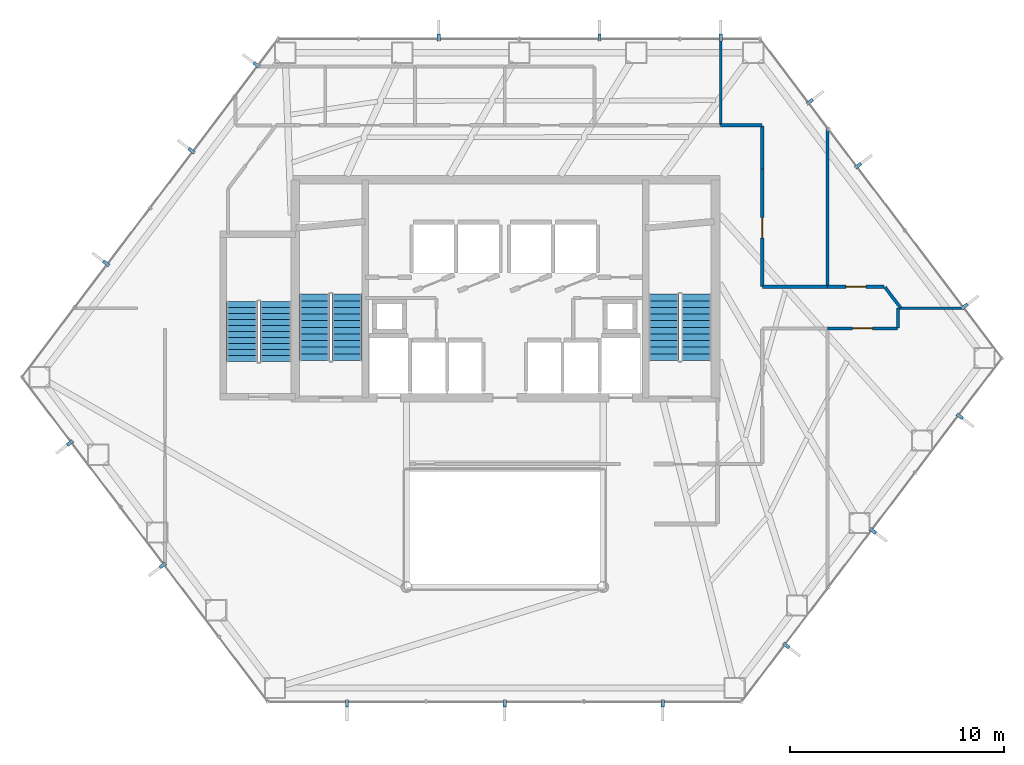
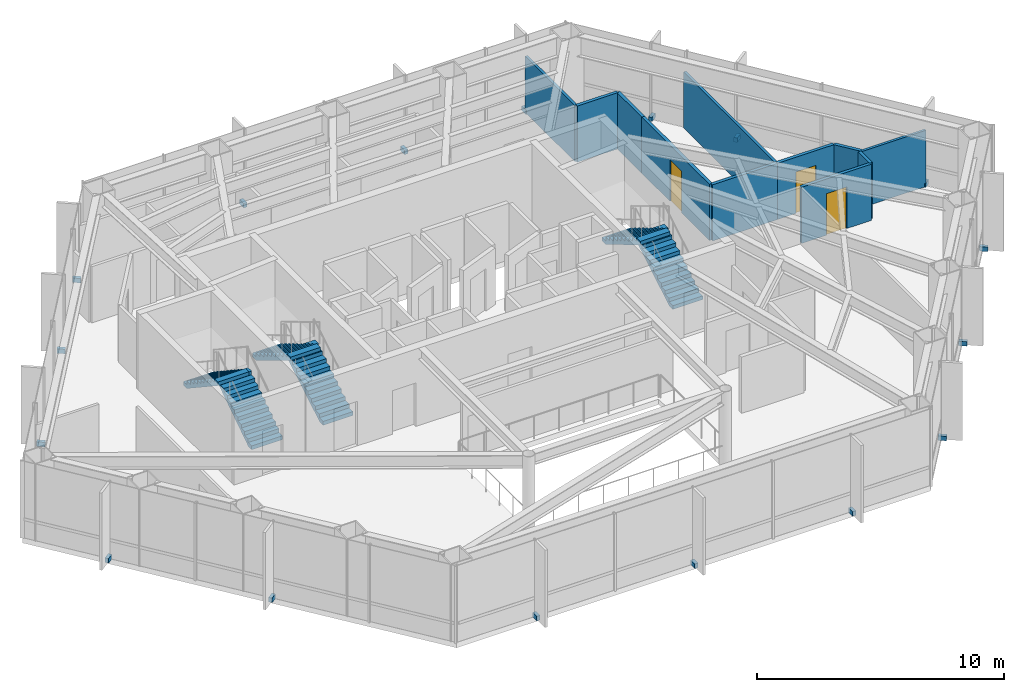
# One storey, part 24 of 25: 17 discrete accessories, 11 walls, 6 stair flights, 3 doors, 3 openings, 3 elements without a shape of their own.
"""IFC4 building model written with IfcOpenShell, lengths in metres."""

from ifc_helpers import new_model, si_unit, direction, frame, frame_2d, origin, origin_2d, place, context, subcontext, project, spatial, polyline, rectangle, outline, extrude, material, layer, layer_set, type_object, element, fill, aggregate, save


model = new_model("IFC4")

# Units and contexts
model_context = context("Model", 3, precision=1e-05, world=origin(), true_north=direction((0.0, 1.0)))
body_context = subcontext(model_context, "Body", "Model", "MODEL_VIEW")
ifc_project = project(units=[si_unit("LENGTHUNIT", "METRE"), si_unit("AREAUNIT", "SQUARE_METRE"), si_unit("VOLUMEUNIT", "CUBIC_METRE"), si_unit("PLANEANGLEUNIT", "RADIAN"), si_unit("MASSUNIT", "GRAM", prefix="KILO")], contexts=[model_context])

# Site, building, storey
site_placement = place(None, origin())
site = spatial("IfcSite", under=ifc_project, at=site_placement, CompositionType="ELEMENT")
building_placement = place(site_placement, origin())
building = spatial("IfcBuilding", under=site, at=building_placement, Name="Zarrinselat Tower", CompositionType="ELEMENT")
storey_placement = place(building_placement, frame((0.0, 0.0, 39.780029296875)))
storey = spatial("IfcBuildingStorey", under=building, at=storey_placement, Name="L09", CompositionType="ELEMENT", Elevation=39.780029296875)

# Wall
ifc_material_1 = material(Name="Fire-Rated Gypsum Board Partition", Category="gypsum")
ifc_layer_1 = layer(ifc_material_1, 0.14990234375)
ifc_layer_set_1 = layer_set([ifc_layer_1], Name="Fire-Rated Gypsum Board Partition")
wall_type_1 = type_object("IfcWallType", Name="WAL-PART-EI60", PredefinedType="PARTITIONING", material=ifc_layer_set_1)
wall_1_placement = place(storey_placement, frame((56.800048828125, 36.52001953125, 0.0), z_axis=(0.0, 0.0, 1.0), x_axis=(0.0, 1.0, 0.0)))
element("IfcWall", 1, at=wall_1_placement, inside=storey, type_object=wall_type_1, Name="L09 Partition Wall 20", PredefinedType="PARTITIONING", context=body_context, shape_type="SweptSolid", body=[
    extrude(rectangle(XDim=0.925048828125, YDim=0.14990234375, at=frame_2d((0.46240234375, 0.0))), origin(), (0.0, 0.0, 1.0), 2.77685546875),
])

# Wall, opening, door
wall_2_placement = place(storey_placement, frame((53.5048828125, 36.5, 0.0), z_axis=(0.0, 0.0, 1.0), x_axis=(1.0, 0.0, 0.0)))
wall_2 = element("IfcWall", 2, at=wall_2_placement, inside=storey, type_object=wall_type_1, Name="L09 Partition Wall 21", PredefinedType="PARTITIONING", context=body_context, shape_type="SweptSolid", body=[
    extrude(rectangle(XDim=3.275146484375, YDim=0.14990234375, at=frame_2d((1.6376953125, 0.0))), origin(), (0.0, 0.0, 1.0), 2.77685546875),
])
opening_1_placement = place(wall_2_placement, frame((1.16748046875, 0.0, 0.0)))
opening_1 = element("IfcOpeningElement", 3, at=opening_1_placement, cuts=wall_2, Name="Opening ID-04", PredefinedType="OPENING", context=body_context, shape_type="SweptSolid", body=[
    extrude(rectangle(XDim=0.93994140625, YDim=2.050048828125, at=frame_2d((0.469970703125, 1.02490234375))), frame((0.0, 0.0849609375, 0.0), z_axis=(0.0, -1.0, 0.0), x_axis=(1.0, 0.0, 0.0)), (0.0, 0.0, 1.0), 0.169921875),
])
ifc_material_2 = material(Name="Fire-Rated Gypsum Board Partition")
door_type = type_object("IfcDoorType", Name="DR-INT-FD30-ENT", OperationType="NOTDEFINED", PredefinedType="DOOR", material=ifc_material_2)
door_1_placement = place(opening_1_placement, origin())
door_1 = element("IfcDoor", 4, at=door_1_placement, inside=storey, type_object=door_type, Name="L09 Interior Door P21", OperationType="SINGLE_SWING_LEFT", OverallHeight=2.050048828125, OverallWidth=0.93994140625, PredefinedType="DOOR", context=body_context, shape_type="SweptSolid", body=[
    extrude(rectangle(XDim=0.93994140625, YDim=2.050048828125, at=frame_2d((0.469970703125, 1.02490234375))), frame((0.0, 0.02490234375, 0.0), z_axis=(0.0, -1.0, 0.0), x_axis=(1.0, 0.0, 0.0)), (0.0, 0.0, 1.0), 0.050048828125),
])
fill(opening_1, door_1)

wall_3_placement = place(storey_placement, frame((53.5048828125, 38.449951171875, 0.0), z_axis=(0.0, 0.0, 1.0), x_axis=(1.0, 0.0, 0.0)))
wall_3 = element("IfcWall", 5, at=wall_3_placement, inside=storey, type_object=wall_type_1, Name="L09 Partition Wall 22", PredefinedType="PARTITIONING", context=body_context, shape_type="SweptSolid", body=[
    extrude(rectangle(XDim=2.6474609375, YDim=0.14990234375, at=frame_2d((1.32373046875, 0.0))), origin(), (0.0, 0.0, 1.0), 2.77685546875),
])
opening_2_placement = place(wall_3_placement, frame((0.853515625, 0.0, 0.0)))
opening_2 = element("IfcOpeningElement", 6, at=opening_2_placement, cuts=wall_3, Name="Opening ID-04", PredefinedType="OPENING", context=body_context, shape_type="SweptSolid", body=[
    extrude(rectangle(XDim=0.93994140625, YDim=2.050048828125, at=frame_2d((0.469970703125, 1.02490234375))), frame((0.0, 0.0849609375, 0.0), z_axis=(0.0, -1.0, 0.0), x_axis=(1.0, 0.0, 0.0)), (0.0, 0.0, 1.0), 0.169921875),
])
door_2_placement = place(opening_2_placement, origin())
door_2 = element("IfcDoor", 7, at=door_2_placement, inside=storey, type_object=door_type, Name="L09 Interior Door P22", OperationType="SINGLE_SWING_RIGHT", OverallHeight=2.050048828125, OverallWidth=0.93994140625, PredefinedType="DOOR", context=body_context, shape_type="SweptSolid", body=[
    extrude(rectangle(XDim=0.93994140625, YDim=2.050048828125, at=frame_2d((0.469970703125, 1.02490234375))), frame((0.0, 0.02490234375, 0.0), z_axis=(0.0, -1.0, 0.0), x_axis=(1.0, 0.0, 0.0)), (0.0, 0.0, 1.0), 0.050048828125),
])
fill(opening_2, door_2)

# Walls
wall_4_placement = place(storey_placement, frame((56.184326171875, 38.43408203125, 0.0), z_axis=(0.0, 0.0, 1.0), x_axis=(0.603900079305, -0.797060031751, 0.0)))
element("IfcWall", 8, at=wall_4_placement, inside=storey, type_object=wall_type_1, Name="L09 Partition Wall 23", PredefinedType="PARTITIONING", context=body_context, shape_type="SweptSolid", body=[
    extrude(rectangle(XDim=1.2197265625, YDim=0.14990234375, at=frame_2d((0.60986328125, 0.0))), origin(), (0.0, 0.0, 1.0), 2.77685546875),
])
wall_5_placement = place(storey_placement, frame((48.5048828125, 46.0, 0.0), z_axis=(0.0, 0.0, 1.0), x_axis=(1.0, 0.0, 0.0)))
element("IfcWall", 9, at=wall_5_placement, inside=storey, type_object=wall_type_1, Name="L09 Partition Wall 26", PredefinedType="PARTITIONING", context=body_context, shape_type="SweptSolid", body=[
    extrude(rectangle(XDim=1.925048828125, YDim=0.14990234375, at=frame_2d((0.96240234375, 0.0))), origin(), (0.0, 0.0, 1.0), 2.77685546875),
])
wall_6_placement = place(storey_placement, frame((50.449951171875, 43.949951171875, 0.0), z_axis=(0.0, 0.0, 1.0), x_axis=(0.0, 1.0, 0.0)))
element("IfcWall", 10, at=wall_6_placement, inside=storey, type_object=wall_type_1, Name="L09 Partition Wall 27", PredefinedType="PARTITIONING", context=body_context, shape_type="SweptSolid", body=[
    extrude(rectangle(XDim=2.030029296875, YDim=0.14990234375, at=frame_2d((1.01513671875, 0.0))), origin(), (0.0, 0.0, 1.0), 2.77685546875),
])

# Wall, opening, door
wall_7_placement = place(storey_placement, frame((50.449951171875, 38.469970703125, 0.0), z_axis=(0.0, 0.0, 1.0), x_axis=(0.0, 1.0, 0.0)))
wall_7 = element("IfcWall", 11, at=wall_7_placement, inside=storey, type_object=wall_type_1, Name="L09 Partition Wall 28", PredefinedType="PARTITIONING", context=body_context, shape_type="SweptSolid", body=[
    extrude(rectangle(XDim=5.47998046875, YDim=0.14990234375, at=frame_2d((2.739990234375, 0.0))), origin(), (0.0, 0.0, 1.0), 2.77685546875),
])
opening_3_placement = place(wall_7_placement, frame((2.27001953125, 0.0, 0.0)))
opening_3 = element("IfcOpeningElement", 12, at=opening_3_placement, cuts=wall_7, Name="Opening ID-04", PredefinedType="OPENING", context=body_context, shape_type="SweptSolid", body=[
    extrude(rectangle(XDim=0.93994140625, YDim=2.050048828125, at=frame_2d((0.469970703125, 1.02490234375))), frame((0.0, 0.0849609375, 0.0), z_axis=(0.0, -1.0, 0.0), x_axis=(1.0, 0.0, 0.0)), (0.0, 0.0, 1.0), 0.169921875),
])
door_3_placement = place(opening_3_placement, origin())
door_3 = element("IfcDoor", 13, at=door_3_placement, inside=storey, type_object=door_type, Name="L09 Interior Door P28", OperationType="SINGLE_SWING_RIGHT", OverallHeight=2.050048828125, OverallWidth=0.93994140625, PredefinedType="DOOR", context=body_context, shape_type="SweptSolid", body=[
    extrude(rectangle(XDim=0.93994140625, YDim=2.050048828125, at=frame_2d((0.469970703125, 1.02490234375))), frame((0.0, 0.02490234375, 0.0), z_axis=(0.0, -1.0, 0.0), x_axis=(1.0, 0.0, 0.0)), (0.0, 0.0, 1.0), 0.050048828125),
])
fill(opening_3, door_3)

# Walls
wall_8_placement = place(storey_placement, frame((50.469970703125, 38.449951171875, 0.0), z_axis=(0.0, 0.0, 1.0), x_axis=(1.0, 0.0, 0.0)))
element("IfcWall", 14, at=wall_8_placement, inside=storey, type_object=wall_type_1, Name="L09 Partition Wall 29", PredefinedType="PARTITIONING", context=body_context, shape_type="SweptSolid", body=[
    extrude(rectangle(XDim=3.025146484375, YDim=0.14990234375, at=frame_2d((1.5126953125, 0.0))), origin(), (0.0, 0.0, 1.0), 2.77685546875),
])
ifc_material_3 = material(Name="Fire-Rated Gypsum Board Partition", Category="gypsum")
ifc_layer_2 = layer(ifc_material_3, 0.1201171875)
ifc_layer_set_2 = layer_set([ifc_layer_2], Name="Fire-Rated Gypsum Board Partition")
wall_type_2 = type_object("IfcWallType", Name="WAL-PART-STD", PredefinedType="PARTITIONING", material=ifc_layer_set_2)
wall_9_placement = place(storey_placement, frame((56.820068359375, 37.449951171875, 0.0), z_axis=(0.0, 0.0, 1.0), x_axis=(1.0, 0.0, 0.0)))
element("IfcWall", 15, at=wall_9_placement, inside=storey, type_object=wall_type_2, Name="L09 Partition Wall 43", PredefinedType="PARTITIONING", context=body_context, shape_type="SweptSolid", body=[
    extrude(rectangle(XDim=3.055419921875, YDim=0.1201171875, at=frame_2d((1.52783203125, 0.0))), origin(), (0.0, 0.0, 1.0), 2.77685546875),
])
wall_10_placement = place(storey_placement, frame((53.5, 38.469970703125, 0.0), z_axis=(0.0, 0.0, 1.0), x_axis=(0.0, 1.0, 0.0)))
element("IfcWall", 16, at=wall_10_placement, inside=storey, type_object=wall_type_2, Name="L09 Partition Wall 45", PredefinedType="PARTITIONING", context=body_context, shape_type="SweptSolid", body=[
    extrude(rectangle(XDim=7.400634765625, YDim=0.1201171875, at=frame_2d((3.7001953125, 0.0))), origin(), (0.0, 0.0, 1.0), 2.77685546875),
])
wall_11_placement = place(storey_placement, frame((48.5, 46.02001953125, 0.0), z_axis=(0.0, 0.0, 1.0), x_axis=(0.0, 1.0, 0.0)))
element("IfcWall", 17, at=wall_11_placement, inside=storey, type_object=wall_type_2, Name="L09 Partition Wall 46", PredefinedType="PARTITIONING", context=body_context, shape_type="SweptSolid", body=[
    extrude(rectangle(XDim=4.00927734375, YDim=0.1201171875, at=frame_2d((2.004638671875, 0.0))), origin(), (0.0, 0.0, 1.0), 2.77685546875),
])

# Stair, stair flights
ifc_material_4 = material(Name="Concrete C40/50", Category="concrete")
stair_type_1 = type_object("IfcStairType", Name="STR-CORE-145", PredefinedType="HALF_TURN_STAIR", material=ifc_material_4)
stair_1_placement = place(storey_placement, origin())
stair_1 = element("IfcStair", 18, at=stair_1_placement, inside=storey, type_object=stair_type_1, Name="L09 Podium & Mid-Tower Exit Stair 3", PredefinedType="HALF_TURN_STAIR")
ifc_material_5 = material(Name="Concrete C40/50", Category="concrete")
stair_flight_type_1 = type_object("IfcStairFlightType", Name="STR-FLT-145", PredefinedType="STRAIGHT", material=ifc_material_5)
stair_flight_1_placement = place(storey_placement, frame((27.675048828125, 34.949951171875, 0.0), z_axis=(0.0, 0.0, 1.0), x_axis=(0.0, 1.0, 0.0)))
stair_flight_1 = element("IfcStairFlight", 19, at=stair_flight_1_placement, type_object=stair_flight_type_1, Name="ST-3 flight 1", NumberOfRisers=11, NumberOfTreads=10, PredefinedType="STRAIGHT", RiserHeight=0.185454545, TreadLength=0.28, context=body_context, shape_type="SweptSolid", body=[
    extrude(outline(polyline([(0.0, 0.0), (0.0, 0.185546875), (0.280029296875, 0.185546875), (0.280029296875, 0.370849609375), (0.56005859375, 0.370849609375), (0.56005859375, 0.556396484375), (0.840087890625, 0.556396484375), (0.840087890625, 0.74169921875), (1.1201171875, 0.74169921875), (1.1201171875, 0.92724609375), (1.39990234375, 0.92724609375), (1.39990234375, 1.11279296875), (1.679931640625, 1.11279296875), (1.679931640625, 1.298095703125), (1.9599609375, 1.298095703125), (1.9599609375, 1.483642578125), (2.239990234375, 1.483642578125), (2.239990234375, 1.669189453125), (2.52001953125, 1.669189453125), (2.52001953125, 1.8544921875), (2.800048828125, 1.8544921875), (2.800048828125, 2.0400390625), (2.800048828125, 1.6748046875), (0.271484375, 0.0), (0.0, 0.0)])), frame((0.0, 0.72509765625, 0.0), z_axis=(0.0, -1.0, 0.0), x_axis=(1.0, 0.0, 0.0)), (0.0, 0.0, 1.0), 1.449951171875),
])
stair_flight_2_placement = place(storey_placement, frame((26.10498046875, 37.75, 2.0400390625), z_axis=(0.0, 0.0, 1.0), x_axis=(0.0, -1.0, 0.0)))
stair_flight_2 = element("IfcStairFlight", 20, at=stair_flight_2_placement, type_object=stair_flight_type_1, Name="ST-3 flight 2", NumberOfRisers=11, NumberOfTreads=10, PredefinedType="STRAIGHT", RiserHeight=0.185454545, TreadLength=0.28, context=body_context, shape_type="SweptSolid", body=[
    extrude(outline(polyline([(0.0, 0.0), (0.0, 0.185546875), (0.280029296875, 0.185546875), (0.280029296875, 0.370849609375), (0.56005859375, 0.370849609375), (0.56005859375, 0.556396484375), (0.840087890625, 0.556396484375), (0.840087890625, 0.74169921875), (1.1201171875, 0.74169921875), (1.1201171875, 0.92724609375), (1.39990234375, 0.92724609375), (1.39990234375, 1.11279296875), (1.679931640625, 1.11279296875), (1.679931640625, 1.298095703125), (1.9599609375, 1.298095703125), (1.9599609375, 1.483642578125), (2.239990234375, 1.483642578125), (2.239990234375, 1.669189453125), (2.52001953125, 1.669189453125), (2.52001953125, 1.8544921875), (2.800048828125, 1.8544921875), (2.800048828125, 2.0400390625), (2.800048828125, 1.6748046875), (0.271484375, 0.0), (0.0, 0.0)])), frame((0.0, 0.72509765625, 0.0), z_axis=(0.0, -1.0, 0.0), x_axis=(1.0, 0.0, 0.0)), (0.0, 0.0, 1.0), 1.449951171875),
])
aggregate(stair_1, [stair_flight_1, stair_flight_2])

ifc_material_6 = material(Name="Concrete C40/50", Category="concrete")
stair_type_2 = type_object("IfcStairType", Name="STR-CORE-155", PredefinedType="HALF_TURN_STAIR", material=ifc_material_6)
stair_2_placement = place(storey_placement, origin())
stair_2 = element("IfcStair", 21, at=stair_2_placement, inside=storey, type_object=stair_type_2, Name="L09 Core Exit Stair 1", PredefinedType="HALF_TURN_STAIR")
ifc_material_7 = material(Name="Concrete C40/50", Category="concrete")
stair_flight_type_2 = type_object("IfcStairFlightType", Name="STR-FLT-155", PredefinedType="STRAIGHT", material=ifc_material_7)
stair_flight_3_placement = place(storey_placement, frame((31.02001953125, 35.0, 0.0), z_axis=(0.0, 0.0, 1.0), x_axis=(0.0, 1.0, 0.0)))
stair_flight_3 = element("IfcStairFlight", 22, at=stair_flight_3_placement, type_object=stair_flight_type_2, Name="ST-1 flight 1", NumberOfRisers=11, NumberOfTreads=10, PredefinedType="STRAIGHT", RiserHeight=0.185454545, TreadLength=0.31, context=body_context, shape_type="SweptSolid", body=[
    extrude(outline(polyline([(0.0, 0.0), (0.0, 0.185546875), (0.31005859375, 0.185546875), (0.31005859375, 0.370849609375), (0.6201171875, 0.370849609375), (0.6201171875, 0.556396484375), (0.929931640625, 0.556396484375), (0.929931640625, 0.74169921875), (1.239990234375, 0.74169921875), (1.239990234375, 0.92724609375), (1.550048828125, 0.92724609375), (1.550048828125, 1.11279296875), (1.860107421875, 1.11279296875), (1.860107421875, 1.298095703125), (2.169921875, 1.298095703125), (2.169921875, 1.483642578125), (2.47998046875, 1.483642578125), (2.47998046875, 1.669189453125), (2.7900390625, 1.669189453125), (2.7900390625, 1.8544921875), (3.10009765625, 1.8544921875), (3.10009765625, 2.0400390625), (3.10009765625, 1.679931640625), (0.2919921875, 0.0), (0.0, 0.0)])), frame((0.0, 0.699951171875, 0.0), z_axis=(0.0, -1.0, 0.0), x_axis=(1.0, 0.0, 0.0)), (0.0, 0.0, 1.0), 1.39990234375),
])
stair_flight_4_placement = place(storey_placement, frame((29.5, 38.10009765625, 2.0400390625), z_axis=(0.0, 0.0, 1.0), x_axis=(0.0, -1.0, 0.0)))
stair_flight_4 = element("IfcStairFlight", 23, at=stair_flight_4_placement, type_object=stair_flight_type_2, Name="ST-1 flight 2", NumberOfRisers=11, NumberOfTreads=10, PredefinedType="STRAIGHT", RiserHeight=0.185454545, TreadLength=0.31, context=body_context, shape_type="SweptSolid", body=[
    extrude(outline(polyline([(0.0, 0.0), (0.0, 0.185546875), (0.31005859375, 0.185546875), (0.31005859375, 0.370849609375), (0.6201171875, 0.370849609375), (0.6201171875, 0.556396484375), (0.929931640625, 0.556396484375), (0.929931640625, 0.74169921875), (1.239990234375, 0.74169921875), (1.239990234375, 0.92724609375), (1.550048828125, 0.92724609375), (1.550048828125, 1.11279296875), (1.860107421875, 1.11279296875), (1.860107421875, 1.298095703125), (2.169921875, 1.298095703125), (2.169921875, 1.483642578125), (2.47998046875, 1.483642578125), (2.47998046875, 1.669189453125), (2.7900390625, 1.669189453125), (2.7900390625, 1.8544921875), (3.10009765625, 1.8544921875), (3.10009765625, 2.0400390625), (3.10009765625, 1.679931640625), (0.2919921875, 0.0), (0.0, 0.0)])), frame((0.0, 0.699951171875, 0.0), z_axis=(0.0, -1.0, 0.0), x_axis=(1.0, 0.0, 0.0)), (0.0, 0.0, 1.0), 1.39990234375),
])
aggregate(stair_2, [stair_flight_3, stair_flight_4])

stair_3_placement = place(storey_placement, origin())
stair_3 = element("IfcStair", 24, at=stair_3_placement, inside=storey, type_object=stair_type_2, Name="L09 Core Exit Stair 2", PredefinedType="HALF_TURN_STAIR")
stair_flight_5_placement = place(storey_placement, frame((47.360107421875, 35.0, 0.0), z_axis=(0.0, 0.0, 1.0), x_axis=(0.0, 1.0, 0.0)))
stair_flight_5 = element("IfcStairFlight", 25, at=stair_flight_5_placement, type_object=stair_flight_type_2, Name="ST-2 flight 1", NumberOfRisers=11, NumberOfTreads=10, PredefinedType="STRAIGHT", RiserHeight=0.185454545, TreadLength=0.31, context=body_context, shape_type="SweptSolid", body=[
    extrude(outline(polyline([(0.0, 0.0), (0.0, 0.185546875), (0.31005859375, 0.185546875), (0.31005859375, 0.370849609375), (0.6201171875, 0.370849609375), (0.6201171875, 0.556396484375), (0.929931640625, 0.556396484375), (0.929931640625, 0.74169921875), (1.239990234375, 0.74169921875), (1.239990234375, 0.92724609375), (1.550048828125, 0.92724609375), (1.550048828125, 1.11279296875), (1.860107421875, 1.11279296875), (1.860107421875, 1.298095703125), (2.169921875, 1.298095703125), (2.169921875, 1.483642578125), (2.47998046875, 1.483642578125), (2.47998046875, 1.669189453125), (2.7900390625, 1.669189453125), (2.7900390625, 1.8544921875), (3.10009765625, 1.8544921875), (3.10009765625, 2.0400390625), (3.10009765625, 1.679931640625), (0.2919921875, 0.0), (0.0, 0.0)])), frame((0.0, 0.699951171875, 0.0), z_axis=(0.0, -1.0, 0.0), x_axis=(1.0, 0.0, 0.0)), (0.0, 0.0, 1.0), 1.39990234375),
])
stair_flight_6_placement = place(storey_placement, frame((45.840087890625, 38.10009765625, 2.0400390625), z_axis=(0.0, 0.0, 1.0), x_axis=(0.0, -1.0, 0.0)))
stair_flight_6 = element("IfcStairFlight", 26, at=stair_flight_6_placement, type_object=stair_flight_type_2, Name="ST-2 flight 2", NumberOfRisers=11, NumberOfTreads=10, PredefinedType="STRAIGHT", RiserHeight=0.185454545, TreadLength=0.31, context=body_context, shape_type="SweptSolid", body=[
    extrude(outline(polyline([(0.0, 0.0), (0.0, 0.185546875), (0.31005859375, 0.185546875), (0.31005859375, 0.370849609375), (0.6201171875, 0.370849609375), (0.6201171875, 0.556396484375), (0.929931640625, 0.556396484375), (0.929931640625, 0.74169921875), (1.239990234375, 0.74169921875), (1.239990234375, 0.92724609375), (1.550048828125, 0.92724609375), (1.550048828125, 1.11279296875), (1.860107421875, 1.11279296875), (1.860107421875, 1.298095703125), (2.169921875, 1.298095703125), (2.169921875, 1.483642578125), (2.47998046875, 1.483642578125), (2.47998046875, 1.669189453125), (2.7900390625, 1.669189453125), (2.7900390625, 1.8544921875), (3.10009765625, 1.8544921875), (3.10009765625, 2.0400390625), (3.10009765625, 1.679931640625), (0.2919921875, 0.0), (0.0, 0.0)])), frame((0.0, 0.699951171875, 0.0), z_axis=(0.0, -1.0, 0.0), x_axis=(1.0, 0.0, 0.0)), (0.0, 0.0, 1.0), 1.39990234375),
])
aggregate(stair_3, [stair_flight_5, stair_flight_6])

# Discrete accessories
ifc_material_8 = material(Name="Steel S355J2", Category="steel")
discrete_accessory_type = type_object("IfcDiscreteAccessoryType", Name="ACC-FIN-BRACKET", PredefinedType="BRACKET", material=ifc_material_8)
for number, where, z_axis, x_axis, name in (
    (27, (48.5, 50.114501953125, -0.0498046875), (0.0, 0.0, 1.0), (0.0, 1.0, 0.0), "L09 Fin Fixing Bracket CW-L09-E01-01"),
    (28, (42.83251953125, 50.114501953125, -0.0498046875), (0.0, 0.0, 1.0), (0.0, 1.0, 0.0), "L09 Fin Fixing Bracket CW-L09-E01-03"),
    (29, (35.31591796875, 50.114501953125, -0.0498046875), (0.0, 0.0, 1.0), (0.0, 1.0, 0.0), "L09 Fin Fixing Bracket CW-L09-E01-05"),
    (30, (26.790283203125, 48.82861328125, -0.0498046875), (0.0, 0.0, 1.0), (-0.797092735952, 0.603856912101, 0.0), "L09 Fin Fixing Bracket CW-L09-E02-01"),
    (31, (23.74755859375, 44.812255859375, -0.0498046875), (0.0, 0.0, 1.0), (-0.797092735952, 0.603856912101, 0.0), "L09 Fin Fixing Bracket CW-L09-E02-03"),
    (32, (19.751708984375, 39.537841796875, -0.0498046875), (0.0, 0.0, 1.0), (-0.797092735952, 0.603856912101, 0.0), "L09 Fin Fixing Bracket CW-L09-E02-05"),
    (33, (18.05859375, 31.13916015625, -0.0498046875), (0.0, 0.0, 1.0), (-0.797092454142, -0.603857284091, 0.0), "L09 Fin Fixing Bracket CW-L09-E03-01"),
    (34, (22.396484375, 25.413330078125, -0.0498046875), (0.0, 0.0, 1.0), (-0.797092454142, -0.603857284091, 0.0), "L09 Fin Fixing Bracket CW-L09-E03-03"),
    (35, (31.016845703125, 18.952880859375, -0.0498046875), (0.0, 0.0, 1.0), (0.0, -1.0, 0.0), "L09 Fin Fixing Bracket CW-L09-E04-01"),
    (36, (38.39990234375, 18.952880859375, -0.0498046875), (0.0, 0.0, 1.0), (0.0, -1.0, 0.0), "L09 Fin Fixing Bracket CW-L09-E04-03"),
    (37, (45.783203125, 18.952880859375, -0.0498046875), (0.0, 0.0, 1.0), (0.0, -1.0, 0.0), "L09 Fin Fixing Bracket CW-L09-E04-05"),
    (38, (51.561767578125, 21.661865234375, -0.0498046875), (0.0, 0.0, 1.0), (0.797091064164, -0.603859118859, 0.0), "L09 Fin Fixing Bracket CW-L09-E05-01"),
    (39, (55.62451171875, 27.024658203125, -0.0498046875), (0.0, 0.0, 1.0), (0.797091064164, -0.603859118859, 0.0), "L09 Fin Fixing Bracket CW-L09-E05-03"),
    (40, (59.68701171875, 32.38720703125, -0.0498046875), (0.0, 0.0, 1.0), (0.797091064164, -0.603859118859, 0.0), "L09 Fin Fixing Bracket CW-L09-E05-05"),
    (41, (59.9189453125, 37.528564453125, -0.0498046875), (0.0, 0.0, 1.0), (0.797091681031, 0.603858304597, 0.0), "L09 Fin Fixing Bracket CW-L09-E06-01"),
    (42, (54.930419921875, 44.11328125, -0.0498046875), (0.0, 0.0, 1.0), (0.797091681031, 0.603858304597, 0.0), "L09 Fin Fixing Bracket CW-L09-E06-03"),
    (43, (52.667724609375, 47.10009765625, -0.0498046875), (0.0, 0.0, 1.0), (0.797091681031, 0.603858304597, 0.0), "L09 Fin Fixing Bracket CW-L09-E06-05"),
):
    element("IfcDiscreteAccessory", number, at=place(storey_placement, frame(where, z_axis=z_axis, x_axis=x_axis)), inside=storey, type_object=discrete_accessory_type, Name=name, PredefinedType="BRACKET", context=body_context, shape_type="SweptSolid", body=[
        extrude(rectangle(XDim=0.340087890625, YDim=0.159912109375, at=origin_2d()), origin(), (0.0, 0.0, 1.0), 0.219970703125),
    ])

save(model, "model.ifc")
